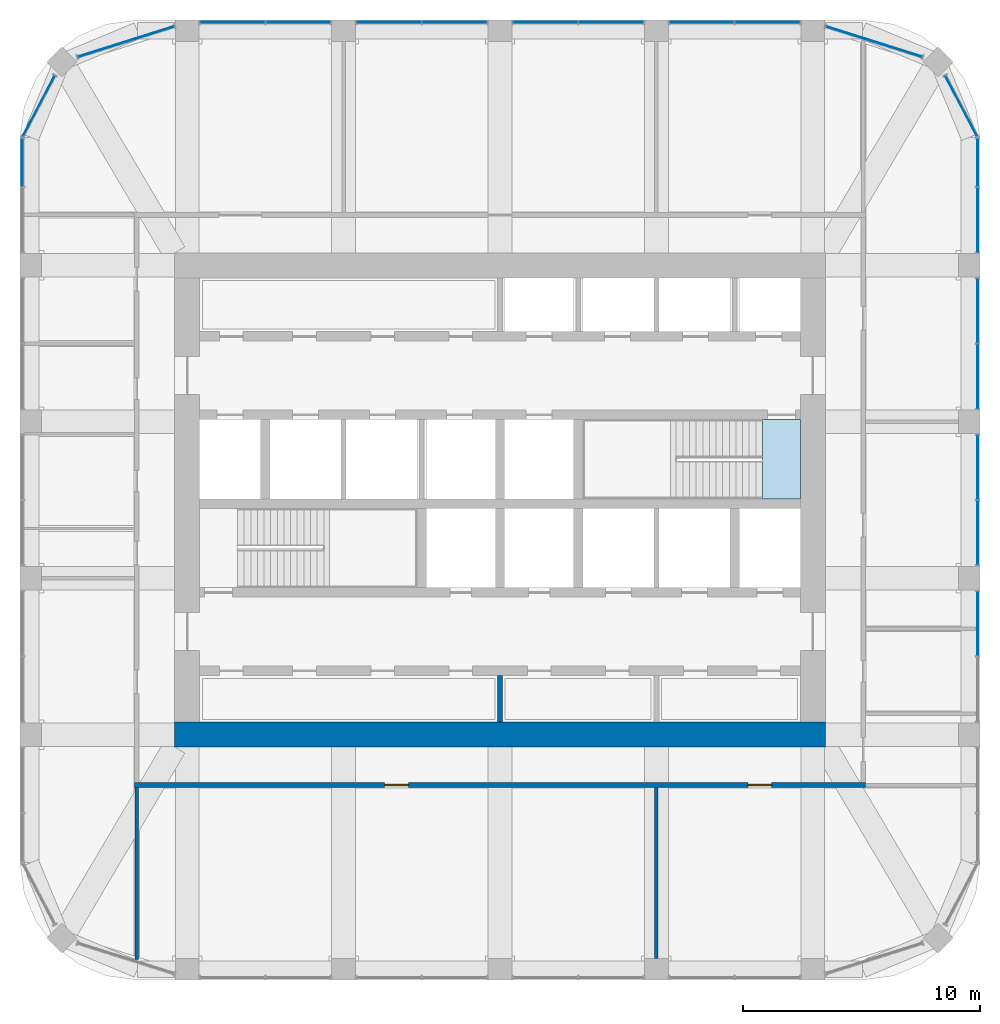
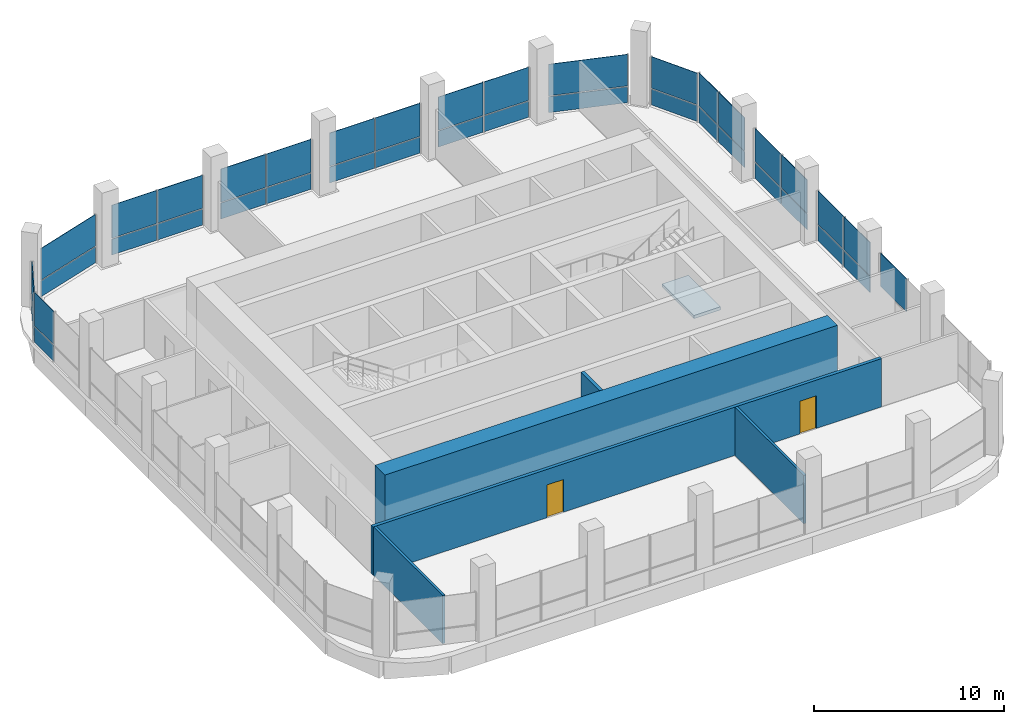
# One storey, part 8 of 13: 39 plates, 5 walls, 2 doors, 1 slab, 2 openings, 14 elements without a shape of their own.
"""IFC4 building model written with IfcOpenShell, lengths in metres."""

from ifc_helpers import new_model, si_unit, direction, frame, frame_2d, origin, origin_2d, place, context, subcontext, project, spatial, polyline, rectangle, outline, extrude, material, layer, layer_set, type_object, element, fill, aggregate, save


model = new_model("IFC4")

# Units and contexts
model_context = context("Model", 3, precision=1e-05, world=origin(), true_north=direction((0.0, 1.0)))
body_context = subcontext(model_context, "Body", "Model", "MODEL_VIEW")
ifc_project = project(units=[si_unit("LENGTHUNIT", "METRE"), si_unit("AREAUNIT", "SQUARE_METRE"), si_unit("VOLUMEUNIT", "CUBIC_METRE"), si_unit("PLANEANGLEUNIT", "RADIAN"), si_unit("MASSUNIT", "GRAM", prefix="KILO")], contexts=[model_context])

# Site, building, storey
site_placement = place(None, origin())
site = spatial("IfcSite", under=ifc_project, at=site_placement, CompositionType="ELEMENT")
building_placement = place(site_placement, origin())
building = spatial("IfcBuilding", under=site, at=building_placement, Name="Cobogo Forest Laboratory Tower", CompositionType="ELEMENT")
storey_placement = place(building_placement, frame((0.0, 0.0, 288.0)))
storey = spatial("IfcBuildingStorey", under=building, at=storey_placement, Name="L66", CompositionType="ELEMENT", Elevation=288.0)

# Curtain wall, plate
ifc_material_1 = material(Name="Aluminium curtain wall", Category="aluminium")
curtain_wall_type = type_object("IfcCurtainWallType", Name="CW-C stick curtain wall, crown glazing, conference floor and roof pavilion", PredefinedType="USERDEFINED", material=ifc_material_1)
curtain_wall_1_placement = place(storey_placement, origin())
curtain_wall_1 = element("IfcCurtainWall", 1, at=curtain_wall_1_placement, inside=storey, type_object=curtain_wall_type, Name="Curtain wall 08 L66", ObjectType="STICK CURTAIN WALL", PredefinedType="USERDEFINED")
ifc_material_2 = material(Name="Solar control insulated glass", Category="glass")
ifc_layer_1 = layer(ifc_material_2, 0.031982421875)
ifc_layer_set_1 = layer_set([ifc_layer_1], Name="GP-2 solar control glass unit 32")
plate_type = type_object("IfcPlateType", Name="GP-2 solar control glass unit 32", PredefinedType="CURTAIN_PANEL", material=ifc_layer_set_1)
plate_1_placement = place(storey_placement, frame((46.550048828125, 17.885009765625, 1.079833984375), z_axis=(0.0, 0.0, 1.0), x_axis=(0.0, 1.0, 0.0)))
plate_1 = element("IfcPlate", 2, at=plate_1_placement, type_object=plate_type, Name="CW-C panel 2.2", PredefinedType="CURTAIN_PANEL", context=body_context, shape_type="SweptSolid", body=[
    extrude(rectangle(XDim=2.7099609375, YDim=0.031982421875, at=origin_2d()), origin(), (0.0, 0.0, 1.0), 2.1201171875),
])
aggregate(curtain_wall_1, [plate_1])

# Curtain wall, plates
curtain_wall_2_placement = place(storey_placement, origin())
curtain_wall_2 = element("IfcCurtainWall", 3, at=curtain_wall_2_placement, inside=storey, type_object=curtain_wall_type, Name="Curtain wall 09 L66", ObjectType="STICK CURTAIN WALL", PredefinedType="USERDEFINED")
plate_2_placement = place(storey_placement, frame((46.550048828125, 21.715087890625, 0.0), z_axis=(0.0, 0.0, 1.0), x_axis=(0.0, 1.0, 0.0)))
plate_2 = element("IfcPlate", 4, at=plate_2_placement, type_object=plate_type, Name="CW-C panel 1.1", PredefinedType="CURTAIN_PANEL", context=body_context, shape_type="SweptSolid", body=[
    extrude(rectangle(XDim=2.7099609375, YDim=0.031982421875, at=origin_2d()), origin(), (0.0, 0.0, 1.0), 1.02001953125),
])
plate_3_placement = place(storey_placement, frame((46.550048828125, 21.715087890625, 1.079833984375), z_axis=(0.0, 0.0, 1.0), x_axis=(0.0, 1.0, 0.0)))
plate_3 = element("IfcPlate", 5, at=plate_3_placement, type_object=plate_type, Name="CW-C panel 1.2", PredefinedType="CURTAIN_PANEL", context=body_context, shape_type="SweptSolid", body=[
    extrude(rectangle(XDim=2.7099609375, YDim=0.031982421875, at=origin_2d()), origin(), (0.0, 0.0, 1.0), 2.1201171875),
])
plate_4_placement = place(storey_placement, frame((46.550048828125, 24.485107421875, 0.0), z_axis=(0.0, 0.0, 1.0), x_axis=(0.0, 1.0, 0.0)))
plate_4 = element("IfcPlate", 6, at=plate_4_placement, type_object=plate_type, Name="CW-C panel 2.1", PredefinedType="CURTAIN_PANEL", context=body_context, shape_type="SweptSolid", body=[
    extrude(rectangle(XDim=2.7099609375, YDim=0.031982421875, at=origin_2d()), origin(), (0.0, 0.0, 1.0), 1.02001953125),
])
plate_5_placement = place(storey_placement, frame((46.550048828125, 24.485107421875, 1.079833984375), z_axis=(0.0, 0.0, 1.0), x_axis=(0.0, 1.0, 0.0)))
plate_5 = element("IfcPlate", 7, at=plate_5_placement, type_object=plate_type, Name="CW-C panel 2.2", PredefinedType="CURTAIN_PANEL", context=body_context, shape_type="SweptSolid", body=[
    extrude(rectangle(XDim=2.7099609375, YDim=0.031982421875, at=origin_2d()), origin(), (0.0, 0.0, 1.0), 2.1201171875),
])
aggregate(curtain_wall_2, [plate_2, plate_3, plate_4, plate_5])

curtain_wall_3_placement = place(storey_placement, origin())
curtain_wall_3 = element("IfcCurtainWall", 8, at=curtain_wall_3_placement, inside=storey, type_object=curtain_wall_type, Name="Curtain wall 10 L66", ObjectType="STICK CURTAIN WALL", PredefinedType="USERDEFINED")
plate_6_placement = place(storey_placement, frame((46.550048828125, 28.31494140625, 0.0), z_axis=(0.0, 0.0, 1.0), x_axis=(0.0, 1.0, 0.0)))
plate_6 = element("IfcPlate", 9, at=plate_6_placement, type_object=plate_type, Name="CW-C panel 1.1", PredefinedType="CURTAIN_PANEL", context=body_context, shape_type="SweptSolid", body=[
    extrude(rectangle(XDim=2.7099609375, YDim=0.031982421875, at=origin_2d()), origin(), (0.0, 0.0, 1.0), 1.02001953125),
])
plate_7_placement = place(storey_placement, frame((46.550048828125, 28.31494140625, 1.079833984375), z_axis=(0.0, 0.0, 1.0), x_axis=(0.0, 1.0, 0.0)))
plate_7 = element("IfcPlate", 10, at=plate_7_placement, type_object=plate_type, Name="CW-C panel 1.2", PredefinedType="CURTAIN_PANEL", context=body_context, shape_type="SweptSolid", body=[
    extrude(rectangle(XDim=2.7099609375, YDim=0.031982421875, at=origin_2d()), origin(), (0.0, 0.0, 1.0), 2.1201171875),
])
plate_8_placement = place(storey_placement, frame((46.550048828125, 31.0849609375, 0.0), z_axis=(0.0, 0.0, 1.0), x_axis=(0.0, 1.0, 0.0)))
plate_8 = element("IfcPlate", 11, at=plate_8_placement, type_object=plate_type, Name="CW-C panel 2.1", PredefinedType="CURTAIN_PANEL", context=body_context, shape_type="SweptSolid", body=[
    extrude(rectangle(XDim=2.7099609375, YDim=0.031982421875, at=origin_2d()), origin(), (0.0, 0.0, 1.0), 1.02001953125),
])
plate_9_placement = place(storey_placement, frame((46.550048828125, 31.0849609375, 1.079833984375), z_axis=(0.0, 0.0, 1.0), x_axis=(0.0, 1.0, 0.0)))
plate_9 = element("IfcPlate", 12, at=plate_9_placement, type_object=plate_type, Name="CW-C panel 2.2", PredefinedType="CURTAIN_PANEL", context=body_context, shape_type="SweptSolid", body=[
    extrude(rectangle(XDim=2.7099609375, YDim=0.031982421875, at=origin_2d()), origin(), (0.0, 0.0, 1.0), 2.1201171875),
])
aggregate(curtain_wall_3, [plate_6, plate_7, plate_8, plate_9])

curtain_wall_4_placement = place(storey_placement, origin())
curtain_wall_4 = element("IfcCurtainWall", 13, at=curtain_wall_4_placement, inside=storey, type_object=curtain_wall_type, Name="Curtain wall 11 L66", ObjectType="STICK CURTAIN WALL", PredefinedType="USERDEFINED")
plate_10_placement = place(storey_placement, frame((46.550048828125, 34.9150390625, 0.0), z_axis=(0.0, 0.0, 1.0), x_axis=(0.0, 1.0, 0.0)))
plate_10 = element("IfcPlate", 14, at=plate_10_placement, type_object=plate_type, Name="CW-C panel 1.1", PredefinedType="CURTAIN_PANEL", context=body_context, shape_type="SweptSolid", body=[
    extrude(rectangle(XDim=2.7099609375, YDim=0.031982421875, at=origin_2d()), origin(), (0.0, 0.0, 1.0), 1.02001953125),
])
plate_11_placement = place(storey_placement, frame((46.550048828125, 34.9150390625, 1.079833984375), z_axis=(0.0, 0.0, 1.0), x_axis=(0.0, 1.0, 0.0)))
plate_11 = element("IfcPlate", 15, at=plate_11_placement, type_object=plate_type, Name="CW-C panel 1.2", PredefinedType="CURTAIN_PANEL", context=body_context, shape_type="SweptSolid", body=[
    extrude(rectangle(XDim=2.7099609375, YDim=0.031982421875, at=origin_2d()), origin(), (0.0, 0.0, 1.0), 2.1201171875),
])
plate_12_placement = place(storey_placement, frame((46.550048828125, 37.3349609375, 0.0), z_axis=(0.0, 0.0, 1.0), x_axis=(0.0, 1.0, 0.0)))
plate_12 = element("IfcPlate", 16, at=plate_12_placement, type_object=plate_type, Name="CW-C panel 2.1", PredefinedType="CURTAIN_PANEL", context=body_context, shape_type="SweptSolid", body=[
    extrude(rectangle(XDim=2.010009765625, YDim=0.031982421875, at=origin_2d()), origin(), (0.0, 0.0, 1.0), 1.02001953125),
])
plate_13_placement = place(storey_placement, frame((46.550048828125, 37.3349609375, 1.079833984375), z_axis=(0.0, 0.0, 1.0), x_axis=(0.0, 1.0, 0.0)))
plate_13 = element("IfcPlate", 17, at=plate_13_placement, type_object=plate_type, Name="CW-C panel 2.2", PredefinedType="CURTAIN_PANEL", context=body_context, shape_type="SweptSolid", body=[
    extrude(rectangle(XDim=2.010009765625, YDim=0.031982421875, at=origin_2d()), origin(), (0.0, 0.0, 1.0), 2.1201171875),
])
aggregate(curtain_wall_4, [plate_10, plate_11, plate_12, plate_13])

curtain_wall_5_placement = place(storey_placement, origin())
curtain_wall_5 = element("IfcCurtainWall", 18, at=curtain_wall_5_placement, inside=storey, type_object=curtain_wall_type, Name="Curtain wall 12 L66", ObjectType="STICK CURTAIN WALL", PredefinedType="USERDEFINED")
plate_14_placement = place(storey_placement, frame((45.85693359375, 39.721923828125, 0.0), z_axis=(0.0, 0.0, 1.0), x_axis=(-0.464283778337, 0.885686498245, 0.0)))
plate_14 = element("IfcPlate", 19, at=plate_14_placement, type_object=plate_type, Name="CW-C panel 1.1", PredefinedType="CURTAIN_PANEL", context=body_context, shape_type="SweptSolid", body=[
    extrude(rectangle(XDim=2.864990234375, YDim=0.031982421875, at=origin_2d()), origin(), (0.0, 0.0, 1.0), 1.02001953125),
])
plate_15_placement = place(storey_placement, frame((45.85693359375, 39.721923828125, 1.080078125), z_axis=(0.0, 0.0, 1.0), x_axis=(-0.464283778337, 0.885686498245, 0.0)))
plate_15 = element("IfcPlate", 20, at=plate_15_placement, type_object=plate_type, Name="CW-C panel 1.2", PredefinedType="CURTAIN_PANEL", context=body_context, shape_type="SweptSolid", body=[
    extrude(rectangle(XDim=2.864990234375, YDim=0.031982421875, at=origin_2d()), origin(), (0.0, 0.0, 1.0), 2.02001953125),
])
aggregate(curtain_wall_5, [plate_14, plate_15])

curtain_wall_6_placement = place(storey_placement, origin())
curtain_wall_6 = element("IfcCurtainWall", 21, at=curtain_wall_6_placement, inside=storey, type_object=curtain_wall_type, Name="Curtain wall 13 L66", ObjectType="STICK CURTAIN WALL", PredefinedType="USERDEFINED")
plate_16_placement = place(storey_placement, frame((42.17919921875, 42.435546875, 0.0), z_axis=(0.0, 0.0, 1.0), x_axis=(-0.953581379409, 0.301135439371, 0.0)))
plate_16 = element("IfcPlate", 22, at=plate_16_placement, type_object=plate_type, Name="CW-C panel 1.1", PredefinedType="CURTAIN_PANEL", context=body_context, shape_type="SweptSolid", body=[
    extrude(rectangle(XDim=4.240966796875, YDim=0.031982421875, at=origin_2d()), origin(), (0.0, 0.0, 1.0), 1.02001953125),
])
plate_17_placement = place(storey_placement, frame((42.17919921875, 42.435546875, 1.080078125), z_axis=(0.0, 0.0, 1.0), x_axis=(-0.953581379409, 0.301135439371, 0.0)))
plate_17 = element("IfcPlate", 23, at=plate_17_placement, type_object=plate_type, Name="CW-C panel 1.2", PredefinedType="CURTAIN_PANEL", context=body_context, shape_type="SweptSolid", body=[
    extrude(rectangle(XDim=4.240966796875, YDim=0.031982421875, at=origin_2d()), origin(), (0.0, 0.0, 1.0), 2.02001953125),
])
aggregate(curtain_wall_6, [plate_16, plate_17])

curtain_wall_7_placement = place(storey_placement, origin())
curtain_wall_7 = element("IfcCurtainWall", 24, at=curtain_wall_7_placement, inside=storey, type_object=curtain_wall_type, Name="Curtain wall 14 L66", ObjectType="STICK CURTAIN WALL", PredefinedType="USERDEFINED")
plate_18_placement = place(storey_placement, frame((37.68505859375, 43.25, 0.0), z_axis=(0.0, 0.0, 1.0), x_axis=(-1.0, 0.0, 0.0)))
plate_18 = element("IfcPlate", 25, at=plate_18_placement, type_object=plate_type, Name="CW-C panel 1.1", PredefinedType="CURTAIN_PANEL", context=body_context, shape_type="SweptSolid", body=[
    extrude(rectangle(XDim=2.7099609375, YDim=0.031982421875, at=origin_2d()), origin(), (0.0, 0.0, 1.0), 1.02001953125),
])
plate_19_placement = place(storey_placement, frame((37.68505859375, 43.25, 1.079833984375), z_axis=(0.0, 0.0, 1.0), x_axis=(-1.0, 0.0, 0.0)))
plate_19 = element("IfcPlate", 26, at=plate_19_placement, type_object=plate_type, Name="CW-C panel 1.2", PredefinedType="CURTAIN_PANEL", context=body_context, shape_type="SweptSolid", body=[
    extrude(rectangle(XDim=2.7099609375, YDim=0.031982421875, at=origin_2d()), origin(), (0.0, 0.0, 1.0), 2.1201171875),
])
plate_20_placement = place(storey_placement, frame((34.9150390625, 43.25, 0.0), z_axis=(0.0, 0.0, 1.0), x_axis=(-1.0, 0.0, 0.0)))
plate_20 = element("IfcPlate", 27, at=plate_20_placement, type_object=plate_type, Name="CW-C panel 2.1", PredefinedType="CURTAIN_PANEL", context=body_context, shape_type="SweptSolid", body=[
    extrude(rectangle(XDim=2.7099609375, YDim=0.031982421875, at=origin_2d()), origin(), (0.0, 0.0, 1.0), 1.02001953125),
])
plate_21_placement = place(storey_placement, frame((34.9150390625, 43.25, 1.079833984375), z_axis=(0.0, 0.0, 1.0), x_axis=(-1.0, 0.0, 0.0)))
plate_21 = element("IfcPlate", 28, at=plate_21_placement, type_object=plate_type, Name="CW-C panel 2.2", PredefinedType="CURTAIN_PANEL", context=body_context, shape_type="SweptSolid", body=[
    extrude(rectangle(XDim=2.7099609375, YDim=0.031982421875, at=origin_2d()), origin(), (0.0, 0.0, 1.0), 2.1201171875),
])
aggregate(curtain_wall_7, [plate_18, plate_19, plate_20, plate_21])

curtain_wall_8_placement = place(storey_placement, origin())
curtain_wall_8 = element("IfcCurtainWall", 29, at=curtain_wall_8_placement, inside=storey, type_object=curtain_wall_type, Name="Curtain wall 15 L66", ObjectType="STICK CURTAIN WALL", PredefinedType="USERDEFINED")
plate_22_placement = place(storey_placement, frame((31.0849609375, 43.25, 0.0), z_axis=(0.0, 0.0, 1.0), x_axis=(-1.0, 0.0, 0.0)))
plate_22 = element("IfcPlate", 30, at=plate_22_placement, type_object=plate_type, Name="CW-C panel 1.1", PredefinedType="CURTAIN_PANEL", context=body_context, shape_type="SweptSolid", body=[
    extrude(rectangle(XDim=2.7099609375, YDim=0.031982421875, at=origin_2d()), origin(), (0.0, 0.0, 1.0), 1.02001953125),
])
plate_23_placement = place(storey_placement, frame((31.0849609375, 43.25, 1.079833984375), z_axis=(0.0, 0.0, 1.0), x_axis=(-1.0, 0.0, 0.0)))
plate_23 = element("IfcPlate", 31, at=plate_23_placement, type_object=plate_type, Name="CW-C panel 1.2", PredefinedType="CURTAIN_PANEL", context=body_context, shape_type="SweptSolid", body=[
    extrude(rectangle(XDim=2.7099609375, YDim=0.031982421875, at=origin_2d()), origin(), (0.0, 0.0, 1.0), 2.1201171875),
])
plate_24_placement = place(storey_placement, frame((28.31494140625, 43.25, 0.0), z_axis=(0.0, 0.0, 1.0), x_axis=(-1.0, 0.0, 0.0)))
plate_24 = element("IfcPlate", 32, at=plate_24_placement, type_object=plate_type, Name="CW-C panel 2.1", PredefinedType="CURTAIN_PANEL", context=body_context, shape_type="SweptSolid", body=[
    extrude(rectangle(XDim=2.7099609375, YDim=0.031982421875, at=origin_2d()), origin(), (0.0, 0.0, 1.0), 1.02001953125),
])
plate_25_placement = place(storey_placement, frame((28.31494140625, 43.25, 1.079833984375), z_axis=(0.0, 0.0, 1.0), x_axis=(-1.0, 0.0, 0.0)))
plate_25 = element("IfcPlate", 33, at=plate_25_placement, type_object=plate_type, Name="CW-C panel 2.2", PredefinedType="CURTAIN_PANEL", context=body_context, shape_type="SweptSolid", body=[
    extrude(rectangle(XDim=2.7099609375, YDim=0.031982421875, at=origin_2d()), origin(), (0.0, 0.0, 1.0), 2.1201171875),
])
aggregate(curtain_wall_8, [plate_22, plate_23, plate_24, plate_25])

curtain_wall_9_placement = place(storey_placement, origin())
curtain_wall_9 = element("IfcCurtainWall", 34, at=curtain_wall_9_placement, inside=storey, type_object=curtain_wall_type, Name="Curtain wall 16 L66", ObjectType="STICK CURTAIN WALL", PredefinedType="USERDEFINED")
plate_26_placement = place(storey_placement, frame((24.485107421875, 43.25, 0.0), z_axis=(0.0, 0.0, 1.0), x_axis=(-1.0, 0.0, 0.0)))
plate_26 = element("IfcPlate", 35, at=plate_26_placement, type_object=plate_type, Name="CW-C panel 1.1", PredefinedType="CURTAIN_PANEL", context=body_context, shape_type="SweptSolid", body=[
    extrude(rectangle(XDim=2.7099609375, YDim=0.031982421875, at=origin_2d()), origin(), (0.0, 0.0, 1.0), 1.02001953125),
])
plate_27_placement = place(storey_placement, frame((24.485107421875, 43.25, 1.079833984375), z_axis=(0.0, 0.0, 1.0), x_axis=(-1.0, 0.0, 0.0)))
plate_27 = element("IfcPlate", 36, at=plate_27_placement, type_object=plate_type, Name="CW-C panel 1.2", PredefinedType="CURTAIN_PANEL", context=body_context, shape_type="SweptSolid", body=[
    extrude(rectangle(XDim=2.7099609375, YDim=0.031982421875, at=origin_2d()), origin(), (0.0, 0.0, 1.0), 2.1201171875),
])
plate_28_placement = place(storey_placement, frame((21.715087890625, 43.25, 0.0), z_axis=(0.0, 0.0, 1.0), x_axis=(-1.0, 0.0, 0.0)))
plate_28 = element("IfcPlate", 37, at=plate_28_placement, type_object=plate_type, Name="CW-C panel 2.1", PredefinedType="CURTAIN_PANEL", context=body_context, shape_type="SweptSolid", body=[
    extrude(rectangle(XDim=2.7099609375, YDim=0.031982421875, at=origin_2d()), origin(), (0.0, 0.0, 1.0), 1.02001953125),
])
plate_29_placement = place(storey_placement, frame((21.715087890625, 43.25, 1.079833984375), z_axis=(0.0, 0.0, 1.0), x_axis=(-1.0, 0.0, 0.0)))
plate_29 = element("IfcPlate", 38, at=plate_29_placement, type_object=plate_type, Name="CW-C panel 2.2", PredefinedType="CURTAIN_PANEL", context=body_context, shape_type="SweptSolid", body=[
    extrude(rectangle(XDim=2.7099609375, YDim=0.031982421875, at=origin_2d()), origin(), (0.0, 0.0, 1.0), 2.1201171875),
])
aggregate(curtain_wall_9, [plate_26, plate_27, plate_28, plate_29])

curtain_wall_10_placement = place(storey_placement, origin())
curtain_wall_10 = element("IfcCurtainWall", 39, at=curtain_wall_10_placement, inside=storey, type_object=curtain_wall_type, Name="Curtain wall 17 L66", ObjectType="STICK CURTAIN WALL", PredefinedType="USERDEFINED")
plate_30_placement = place(storey_placement, frame((17.885009765625, 43.25, 0.0), z_axis=(0.0, 0.0, 1.0), x_axis=(-1.0, 0.0, 0.0)))
plate_30 = element("IfcPlate", 40, at=plate_30_placement, type_object=plate_type, Name="CW-C panel 1.1", PredefinedType="CURTAIN_PANEL", context=body_context, shape_type="SweptSolid", body=[
    extrude(rectangle(XDim=2.7099609375, YDim=0.031982421875, at=origin_2d()), origin(), (0.0, 0.0, 1.0), 1.02001953125),
])
plate_31_placement = place(storey_placement, frame((17.885009765625, 43.25, 1.079833984375), z_axis=(0.0, 0.0, 1.0), x_axis=(-1.0, 0.0, 0.0)))
plate_31 = element("IfcPlate", 41, at=plate_31_placement, type_object=plate_type, Name="CW-C panel 1.2", PredefinedType="CURTAIN_PANEL", context=body_context, shape_type="SweptSolid", body=[
    extrude(rectangle(XDim=2.7099609375, YDim=0.031982421875, at=origin_2d()), origin(), (0.0, 0.0, 1.0), 2.1201171875),
])
plate_32_placement = place(storey_placement, frame((15.114990234375, 43.25, 0.0), z_axis=(0.0, 0.0, 1.0), x_axis=(-1.0, 0.0, 0.0)))
plate_32 = element("IfcPlate", 42, at=plate_32_placement, type_object=plate_type, Name="CW-C panel 2.1", PredefinedType="CURTAIN_PANEL", context=body_context, shape_type="SweptSolid", body=[
    extrude(rectangle(XDim=2.7099609375, YDim=0.031982421875, at=origin_2d()), origin(), (0.0, 0.0, 1.0), 1.02001953125),
])
plate_33_placement = place(storey_placement, frame((15.114990234375, 43.25, 1.079833984375), z_axis=(0.0, 0.0, 1.0), x_axis=(-1.0, 0.0, 0.0)))
plate_33 = element("IfcPlate", 43, at=plate_33_placement, type_object=plate_type, Name="CW-C panel 2.2", PredefinedType="CURTAIN_PANEL", context=body_context, shape_type="SweptSolid", body=[
    extrude(rectangle(XDim=2.7099609375, YDim=0.031982421875, at=origin_2d()), origin(), (0.0, 0.0, 1.0), 2.1201171875),
])
aggregate(curtain_wall_10, [plate_30, plate_31, plate_32, plate_33])

curtain_wall_11_placement = place(storey_placement, origin())
curtain_wall_11 = element("IfcCurtainWall", 44, at=curtain_wall_11_placement, inside=storey, type_object=curtain_wall_type, Name="Curtain wall 18 L66", ObjectType="STICK CURTAIN WALL", PredefinedType="USERDEFINED")
plate_34_placement = place(storey_placement, frame((10.62060546875, 42.435546875, 0.0), z_axis=(0.0, 0.0, 1.0), x_axis=(-0.953581379409, -0.301135439371, 0.0)))
plate_34 = element("IfcPlate", 45, at=plate_34_placement, type_object=plate_type, Name="CW-C panel 1.1", PredefinedType="CURTAIN_PANEL", context=body_context, shape_type="SweptSolid", body=[
    extrude(rectangle(XDim=4.240966796875, YDim=0.031982421875, at=origin_2d()), origin(), (0.0, 0.0, 1.0), 1.02001953125),
])
plate_35_placement = place(storey_placement, frame((10.62060546875, 42.435546875, 1.080078125), z_axis=(0.0, 0.0, 1.0), x_axis=(-0.953581379409, -0.301135439371, 0.0)))
plate_35 = element("IfcPlate", 46, at=plate_35_placement, type_object=plate_type, Name="CW-C panel 1.2", PredefinedType="CURTAIN_PANEL", context=body_context, shape_type="SweptSolid", body=[
    extrude(rectangle(XDim=4.240966796875, YDim=0.031982421875, at=origin_2d()), origin(), (0.0, 0.0, 1.0), 2.02001953125),
])
aggregate(curtain_wall_11, [plate_34, plate_35])

curtain_wall_12_placement = place(storey_placement, origin())
curtain_wall_12 = element("IfcCurtainWall", 47, at=curtain_wall_12_placement, inside=storey, type_object=curtain_wall_type, Name="Curtain wall 19 L66", ObjectType="STICK CURTAIN WALL", PredefinedType="USERDEFINED")
plate_36_placement = place(storey_placement, frame((6.94287109375, 39.721923828125, 0.0), z_axis=(0.0, 0.0, 1.0), x_axis=(-0.464283778337, -0.885686498245, 0.0)))
plate_36 = element("IfcPlate", 48, at=plate_36_placement, type_object=plate_type, Name="CW-C panel 1.1", PredefinedType="CURTAIN_PANEL", context=body_context, shape_type="SweptSolid", body=[
    extrude(rectangle(XDim=2.864990234375, YDim=0.031982421875, at=origin_2d()), origin(), (0.0, 0.0, 1.0), 1.02001953125),
])
plate_37_placement = place(storey_placement, frame((6.94287109375, 39.721923828125, 1.080078125), z_axis=(0.0, 0.0, 1.0), x_axis=(-0.464283778337, -0.885686498245, 0.0)))
plate_37 = element("IfcPlate", 49, at=plate_37_placement, type_object=plate_type, Name="CW-C panel 1.2", PredefinedType="CURTAIN_PANEL", context=body_context, shape_type="SweptSolid", body=[
    extrude(rectangle(XDim=2.864990234375, YDim=0.031982421875, at=origin_2d()), origin(), (0.0, 0.0, 1.0), 2.02001953125),
])
aggregate(curtain_wall_12, [plate_36, plate_37])

curtain_wall_13_placement = place(storey_placement, origin())
curtain_wall_13 = element("IfcCurtainWall", 50, at=curtain_wall_13_placement, inside=storey, type_object=curtain_wall_type, Name="Curtain wall 20 L66", ObjectType="STICK CURTAIN WALL", PredefinedType="USERDEFINED")
plate_38_placement = place(storey_placement, frame((6.25, 37.3349609375, 0.0), z_axis=(0.0, 0.0, 1.0), x_axis=(0.0, -1.0, 0.0)))
plate_38 = element("IfcPlate", 51, at=plate_38_placement, type_object=plate_type, Name="CW-C panel 1.1", PredefinedType="CURTAIN_PANEL", context=body_context, shape_type="SweptSolid", body=[
    extrude(rectangle(XDim=2.010009765625, YDim=0.031982421875, at=origin_2d()), origin(), (0.0, 0.0, 1.0), 1.02001953125),
])
plate_39_placement = place(storey_placement, frame((6.25, 37.3349609375, 1.079833984375), z_axis=(0.0, 0.0, 1.0), x_axis=(0.0, -1.0, 0.0)))
plate_39 = element("IfcPlate", 52, at=plate_39_placement, type_object=plate_type, Name="CW-C panel 1.2", PredefinedType="CURTAIN_PANEL", context=body_context, shape_type="SweptSolid", body=[
    extrude(rectangle(XDim=2.010009765625, YDim=0.031982421875, at=origin_2d()), origin(), (0.0, 0.0, 1.0), 2.1201171875),
])
aggregate(curtain_wall_13, [plate_38, plate_39])

# Stair, slab
ifc_material_3 = material(Name="Precast concrete HA-40 (C40/50)", Category="concrete")
stair_type = type_object("IfcStairType", Name="ST28 exit stair 28 risers", PredefinedType="HALF_TURN_STAIR", material=ifc_material_3)
stair_placement = place(storey_placement, origin())
stair = element("IfcStair", 53, at=stair_placement, inside=storey, type_object=stair_type, Name="Stair 2 L66 to RF", PredefinedType="HALF_TURN_STAIR")
ifc_material_4 = material(Name="Concrete HA-40 (C40/50)", Category="concrete")
ifc_layer_2 = layer(ifc_material_4, 0.199951171875)
ifc_layer_set_2 = layer_set([ifc_layer_2], Name="SL stair landing 200")
slab_type = type_object("IfcSlabType", Name="SL stair landing 200", PredefinedType="LANDING", material=ifc_layer_set_2)
slab_placement = place(storey_placement, frame((0.0, 0.0, -0.199951171875)))
slab = element("IfcSlab", 54, at=slab_placement, type_object=slab_type, Name="ST2 landing 1", PredefinedType="LANDING", context=body_context, shape_type="SweptSolid", body=[
    extrude(outline(polyline([(37.472900390625, 23.14990234375), (39.074951171875, 23.14990234375), (39.074951171875, 26.5), (37.472900390625, 26.5), (37.472900390625, 23.14990234375)])), origin(), (0.0, 0.0, 1.0), 0.199951171875),
])
aggregate(stair, [slab])

# Walls
ifc_material_5 = material(Name="Concrete HA-50 (C50/60)", Category="concrete")
ifc_layer_3 = layer(ifc_material_5, 1.050048828125)
ifc_layer_set_3 = layer_set([ifc_layer_3], Name="CW1050 core outer wall 1050")
wall_type_1 = type_object("IfcWallType", Name="CW1050 core outer wall 1050", PredefinedType="SHEAR", material=ifc_layer_set_3)
wall_1_placement = place(storey_placement, frame((12.675048828125, 13.199951171875, 0.0), z_axis=(0.0, 0.0, 1.0), x_axis=(1.0, 0.0, 0.0)))
element("IfcWall", 55, at=wall_1_placement, inside=storey, type_object=wall_type_1, Name="Core wall CO-S L66", PredefinedType="SHEAR", context=body_context, shape_type="SweptSolid", body=[
    extrude(rectangle(XDim=27.449951171875, YDim=1.050048828125, at=frame_2d((13.72509765625, 0.0))), origin(), (0.0, 0.0, 1.0), 4.800048828125),
])
ifc_material_6 = material(Name="Gypsum board on steel studs", Category="steel")
ifc_layer_4 = layer(ifc_material_6, 0.14990234375)
ifc_layer_set_4 = layer_set([ifc_layer_4], Name="PT1 laboratory partition 150")
wall_type_2 = type_object("IfcWallType", Name="PT1 laboratory partition 150", PredefinedType="PARTITIONING", material=ifc_layer_set_4)
wall_2_placement = place(storey_placement, frame((11.074951171875, 3.705078125, 0.0), z_axis=(0.0, 0.0, 1.0), x_axis=(0.0, 1.0, 0.0)))
element("IfcWall", 56, at=wall_2_placement, inside=storey, type_object=wall_type_2, Name="Partition PW-SW L66", PredefinedType="PARTITIONING", context=body_context, shape_type="SweptSolid", body=[
    extrude(rectangle(XDim=7.27001953125, YDim=0.14990234375, at=frame_2d((3.635009765625, 0.0))), origin(), (0.0, 0.0, 1.0), 3.10009765625),
])
wall_3_placement = place(storey_placement, frame((33.0, 3.75, 0.0), z_axis=(0.0, 0.0, 1.0), x_axis=(0.0, 1.0, 0.0)))
element("IfcWall", 57, at=wall_3_placement, inside=storey, type_object=wall_type_2, Name="Partition CUT-S33-1 L66", PredefinedType="PARTITIONING", context=body_context, shape_type="SweptSolid", body=[
    extrude(rectangle(XDim=7.22509765625, YDim=0.14990234375, at=frame_2d((3.612548828125, 0.0))), origin(), (0.0, 0.0, 1.0), 3.10009765625),
])

# Wall, openings, doors
ifc_layer_5 = layer(ifc_material_6, 0.199951171875)
ifc_layer_set_5 = layer_set([ifc_layer_5], Name="PT2 fire-rated corridor partition 200")
wall_type_3 = type_object("IfcWallType", Name="PT2 fire-rated corridor partition 200", PredefinedType="PARTITIONING", material=ifc_layer_set_5)
wall_4_placement = place(storey_placement, frame((10.97509765625, 11.074951171875, 0.0), z_axis=(0.0, 0.0, 1.0), x_axis=(1.0, 0.0, 0.0)))
wall_4 = element("IfcWall", 58, at=wall_4_placement, inside=storey, type_object=wall_type_3, Name="Partition CORR-S L66", PredefinedType="PARTITIONING", context=body_context, shape_type="SweptSolid", body=[
    extrude(rectangle(XDim=30.849853515625, YDim=0.199951171875, at=frame_2d((15.4248046875, 0.0))), origin(), (0.0, 0.0, 1.0), 3.10009765625),
])
opening_1_placement = place(wall_4_placement, frame((10.5625, 0.0, 0.0)))
opening_1 = element("IfcOpeningElement", 59, at=opening_1_placement, cuts=wall_4, Name="Opening L66-D01", PredefinedType="OPENING", context=body_context, shape_type="SweptSolid", body=[
    extrude(rectangle(XDim=1.0, YDim=2.10009765625, at=frame_2d((0.5, 1.050048828125))), frame((0.0, 0.10986328125, 0.0), z_axis=(0.0, -1.0, 0.0), x_axis=(1.0, 0.0, 0.0)), (0.0, 0.0, 1.0), 0.219970703125),
])
opening_2_placement = place(wall_4_placement, frame((25.887451171875, 0.0, 0.0)))
opening_2 = element("IfcOpeningElement", 60, at=opening_2_placement, cuts=wall_4, Name="Opening L66-D02", PredefinedType="OPENING", context=body_context, shape_type="SweptSolid", body=[
    extrude(rectangle(XDim=1.0, YDim=2.10009765625, at=frame_2d((0.5, 1.050048828125))), frame((0.0, 0.10986328125, 0.0), z_axis=(0.0, -1.0, 0.0), x_axis=(1.0, 0.0, 0.0)), (0.0, 0.0, 1.0), 0.219970703125),
])
ifc_material_7 = material(Name="Timber fire door", Category="wood")
door_type = type_object("IfcDoorType", Name="FD2 fire door 1000 EI2 30", OperationType="SINGLE_SWING_LEFT", PredefinedType="DOOR", material=ifc_material_7)
door_1_placement = place(opening_1_placement, origin())
door_1 = element("IfcDoor", 61, at=door_1_placement, inside=storey, type_object=door_type, Name="Door L66-S1", OperationType="SINGLE_SWING_LEFT", OverallHeight=2.10009765625, OverallWidth=1.0, PredefinedType="DOOR", context=body_context, shape_type="SweptSolid", body=[
    extrude(rectangle(XDim=1.0, YDim=2.10009765625, at=frame_2d((0.5, 1.050048828125))), frame((0.0, 0.02490234375, 0.0), z_axis=(0.0, -1.0, 0.0), x_axis=(1.0, 0.0, 0.0)), (0.0, 0.0, 1.0), 0.050048828125),
])
fill(opening_1, door_1)
door_2_placement = place(opening_2_placement, origin())
door_2 = element("IfcDoor", 62, at=door_2_placement, inside=storey, type_object=door_type, Name="Door L66-S2", OperationType="SINGLE_SWING_RIGHT", OverallHeight=2.10009765625, OverallWidth=1.0, PredefinedType="DOOR", context=body_context, shape_type="SweptSolid", body=[
    extrude(rectangle(XDim=1.0, YDim=2.10009765625, at=frame_2d((0.5, 1.050048828125))), frame((0.0, 0.02490234375, 0.0), z_axis=(0.0, -1.0, 0.0), x_axis=(1.0, 0.0, 0.0)), (0.0, 0.0, 1.0), 0.050048828125),
])
fill(opening_2, door_2)

# Wall
ifc_material_8 = material(Name="Concrete block", Category="concrete")
ifc_layer_6 = layer(ifc_material_8, 0.199951171875)
ifc_layer_set_6 = layer_set([ifc_layer_6], Name="SW200 lift shaft separator 200")
wall_type_4 = type_object("IfcWallType", Name="SW200 lift shaft separator 200", PredefinedType="PARTITIONING", material=ifc_layer_set_6)
wall_5_placement = place(storey_placement, frame((26.39990234375, 13.72509765625, 0.0), z_axis=(0.0, 0.0, 1.0), x_axis=(0.0, 1.0, 0.0)))
element("IfcWall", 63, at=wall_5_placement, inside=storey, type_object=wall_type_4, Name="Core wall SEP-S4 L66", PredefinedType="PARTITIONING", context=body_context, shape_type="SweptSolid", body=[
    extrude(rectangle(XDim=1.974853515625, YDim=0.199951171875, at=frame_2d((0.9873046875, 0.0))), origin(), (0.0, 0.0, 1.0), 4.800048828125),
])

save(model, "model.ifc")
